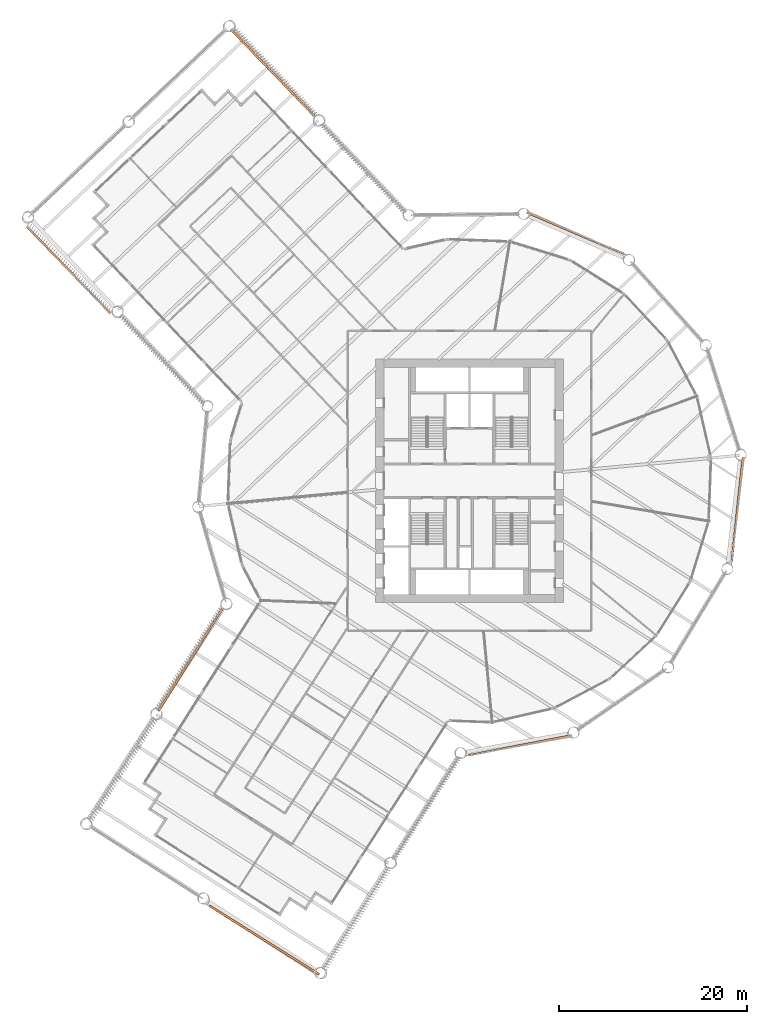
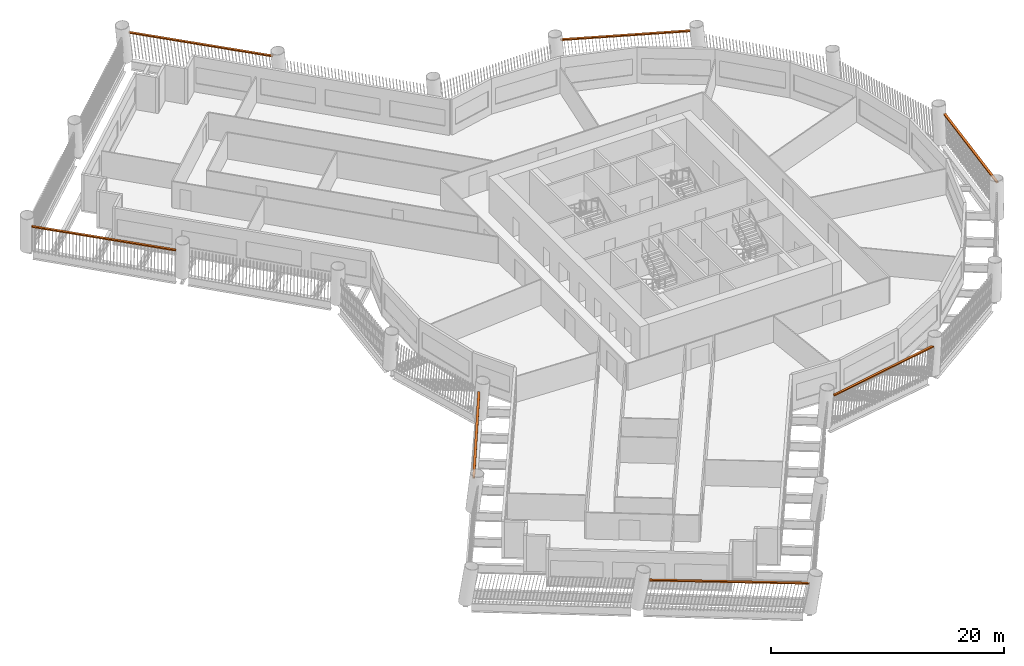
# One storey, part 15 of 15: 7 proxies.
"""IFC4 building model written with IfcOpenShell, lengths in metres."""

import ifcopenshell
import ifcopenshell.guid

model = None  # the IFC model being written
_history = None  # IfcOwnerHistory: only IFC2X3 demands one
_inside = {}  # id of a spatial element -> (the spatial element, [elements in it])
_under = {}  # id of a project, library or spatial element -> (it, [spatial elements below it])
_declared = {}  # id of a project -> (the project, [libraries it declares])
_typed = {}  # id of a type object -> (the type object, [elements of that type])
_made_of = {}  # id of a material, layer set ... -> (it, [elements and type objects made of it])


def new_model(schema):
    """Start an empty IFC model of exactly this schema.

    Asked for "IFC4X3", IfcOpenShell would pick the latest addendum, in which some entities
    have other attributes; the version numbers below select the first issue.
    IFC2X3 requires an IfcOwnerHistory on every rooted entity: one is made here for all.
    """
    global model, _history
    if schema == "IFC4X3":
        model = ifcopenshell.file(schema_version=(4, 3, 0, 0))
    else:
        model = ifcopenshell.file(schema=schema)
    _inside.clear()
    _under.clear()
    _declared.clear()
    _typed.clear()
    _made_of.clear()
    _history = None
    if model.schema == "IFC2X3":
        org = make("IfcOrganization", Name="unknown")
        user = make(
            "IfcPersonAndOrganization",
            ThePerson=make("IfcPerson", FamilyName="unknown"),
            TheOrganization=org,
        )
        app = make(
            "IfcApplication",
            ApplicationDeveloper=org,
            Version="unknown",
            ApplicationFullName="unknown",
            ApplicationIdentifier="unknown",
        )
        _history = make(
            "IfcOwnerHistory",
            OwningUser=user,
            OwningApplication=app,
            ChangeAction="ADDED",
            CreationDate=0,
        )
    return model


def make(cls, **values):
    """One entity of the class cls with the attributes given. An attribute that is None is left unset."""
    return model.create_entity(
        cls, **{name: value for name, value in values.items() if value is not None}
    )


def rooted(cls, **values):
    """An entity with a GlobalId (a new one), such as an element, a storey or a relation."""
    return make(cls, GlobalId=ifcopenshell.guid.new(), OwnerHistory=_history, **values)


def si_unit(unit_type, name, prefix=None):
    """IfcSIUnit, for example si_unit("LENGTHUNIT", "METRE", prefix="MILLI")."""
    return make("IfcSIUnit", UnitType=unit_type, Prefix=prefix, Name=name)


def assignment(units):
    """IfcUnitAssignment: the units of a project."""
    return None if units is None else make("IfcUnitAssignment", Units=units)


def point(xyz):
    """IfcCartesianPoint."""
    return None if xyz is None else make("IfcCartesianPoint", Coordinates=xyz)


def direction(xyz):
    """IfcDirection."""
    return None if xyz is None else make("IfcDirection", DirectionRatios=xyz)


def frame(location, z_axis=None, x_axis=None):
    """IfcAxis2Placement3D, a coordinate frame: its origin and axes. An axis left out is left unset."""
    return make(
        "IfcAxis2Placement3D",
        Location=point(location),
        Axis=direction(z_axis),
        RefDirection=direction(x_axis),
    )


def frame_2d(location, x_axis=None):
    """IfcAxis2Placement2D, a coordinate frame in the plane: its origin and x axis."""
    return make(
        "IfcAxis2Placement2D", Location=point(location), RefDirection=direction(x_axis)
    )


def origin():
    """The frame at (0, 0, 0) with its axes left unset."""
    return frame((0.0, 0.0, 0.0))


def origin_2d():
    """The frame at (0, 0) in the plane with its x axis left unset."""
    return frame_2d((0.0, 0.0))


def place(relative_to, where):
    """IfcLocalPlacement: puts the frame where relative to a parent placement (None: the world)."""
    return make(
        "IfcLocalPlacement", PlacementRelTo=relative_to, RelativePlacement=where
    )


def context(
    kind, dimensions, precision=None, world=None, true_north=None, identifier=None
):
    """IfcGeometricRepresentationContext, for example the 3D "Model" context."""
    return make(
        "IfcGeometricRepresentationContext",
        ContextIdentifier=identifier,
        ContextType=kind,
        CoordinateSpaceDimension=dimensions,
        Precision=precision,
        WorldCoordinateSystem=world,
        TrueNorth=true_north,
    )


def subcontext(parent, identifier, kind, view, scale=None):
    """IfcGeometricRepresentationSubContext, for example "Body" below "Model"."""
    return make(
        "IfcGeometricRepresentationSubContext",
        ContextIdentifier=identifier,
        ContextType=kind,
        ParentContext=parent,
        TargetScale=scale,
        TargetView=view,
    )


def project(units=None, contexts=None):
    """IfcProject with its units and contexts."""
    return rooted(
        "IfcProject",
        Name="project",
        RepresentationContexts=contexts,
        UnitsInContext=assignment(units),
    )


def spatial(cls, under=None, at=None, **own):
    """A site, building, storey or space (cls), placed at a placement, below another one or the project."""
    s = rooted(cls, ObjectPlacement=at, **own)
    if under is not None:
        _under.setdefault(under.id(), (under, []))[1].append(s)
    return s


def profile(cls, at=None, kind="AREA", **sizes):
    """A parametric profile (cls). Its sizes go by their IFC names, for example OverallWidth=200.0."""
    return make(cls, ProfileType=kind, Position=at, **sizes)


def rectangle(**sizes):
    """IfcRectangleProfileDef."""
    return profile("IfcRectangleProfileDef", **sizes)


def extrude(swept, where, along, depth):
    """IfcExtrudedAreaSolid: the profile swept, set in the frame where, extruded along a direction by depth."""
    return make(
        "IfcExtrudedAreaSolid",
        SweptArea=swept,
        Position=where,
        ExtrudedDirection=direction(along),
        Depth=depth,
    )


def shape(context_of_items, identifier, shape_type, items):
    """IfcShapeRepresentation: the items that make up one representation, for example the "Body"."""
    return make(
        "IfcShapeRepresentation",
        ContextOfItems=context_of_items,
        RepresentationIdentifier=identifier,
        RepresentationType=shape_type,
        Items=items,
    )


def material(Name=None, Category=None):
    """IfcMaterial."""
    return make("IfcMaterial", Name=Name, Category=Category)


def made_of(thing, what):
    """Note that an element or type object is made of a material, layer set ...; save() writes the relation."""
    if what is not None:
        _made_of.setdefault(what.id(), (what, []))[1].append(thing)
    return thing


def type_object(cls, material=None, **own):
    """A type object (cls), such as IfcWallType, which elements share."""
    return made_of(rooted(cls, **own), material)


def element(
    cls,
    number,
    at=None,
    inside=None,
    cuts=None,
    type_object=None,
    material=None,
    context=None,
    identifier="Body",
    shape_type=None,
    held_by="IfcProductDefinitionShape",
    body=None,
    shapes=None,
    **own,
):
    """One element of the class cls, such as IfcWall. Its Tag is "e" and its number.

    at: its placement. inside: the storey or other place that contains it. cuts: it is an
    opening in that element (IfcRelVoidsElement). A single representation is given by context,
    identifier, shape_type and body (its items); several are given by shapes. held_by: the class
    of the entity that holds the representations. save() writes the other relations.
    """
    e = rooted(cls, Tag="e%d" % number, ObjectPlacement=at, **own)
    if body is not None:
        shapes = [shape(context, identifier, shape_type, body)]
    if shapes is not None:
        e.Representation = make(held_by, Representations=shapes)
    if inside is not None:
        _inside.setdefault(inside.id(), (inside, []))[1].append(e)
    if cuts is not None:
        rooted(
            "IfcRelVoidsElement", RelatingBuildingElement=cuts, RelatedOpeningElement=e
        )
    if type_object is not None:
        _typed.setdefault(type_object.id(), (type_object, []))[1].append(e)
    return made_of(e, material)


def aggregate(whole, parts):
    """IfcRelAggregates: a whole, such as a stair, and the parts it consists of."""
    return rooted("IfcRelAggregates", RelatingObject=whole, RelatedObjects=parts)


def save(model, path):
    """Write the relations noted so far, then the file.

    IfcRelAggregates (storeys below a building ...), IfcRelContainedInSpatialStructure (elements
    in a storey), IfcRelDefinesByType, IfcRelAssociatesMaterial and IfcRelDeclares: one each for
    every whole, place, type object, material and project.
    """
    for whole, parts in _under.values():
        aggregate(whole, parts)
    for where, things in _inside.values():
        rooted(
            "IfcRelContainedInSpatialStructure",
            RelatedElements=things,
            RelatingStructure=where,
        )
    for kind, things in _typed.values():
        rooted("IfcRelDefinesByType", RelatedObjects=things, RelatingType=kind)
    for what, things in _made_of.values():
        rooted("IfcRelAssociatesMaterial", RelatedObjects=things, RelatingMaterial=what)
    for by, libraries in _declared.values():
        rooted("IfcRelDeclares", RelatingContext=by, RelatedDefinitions=libraries)
    model.write(path)


model = new_model("IFC4")

# Units and contexts
model_context = context("Model", 3, precision=1e-05, world=origin(), true_north=direction((0.0, 1.0)))
body_context = subcontext(model_context, "Body", "Model", "MODEL_VIEW")
ifc_project = project(units=[si_unit("LENGTHUNIT", "METRE"), si_unit("AREAUNIT", "SQUARE_METRE"), si_unit("VOLUMEUNIT", "CUBIC_METRE"), si_unit("PLANEANGLEUNIT", "RADIAN"), si_unit("MASSUNIT", "GRAM", prefix="KILO")], contexts=[model_context])

# Site, building, storey
site_placement = place(None, origin())
site = spatial("IfcSite", under=ifc_project, at=site_placement, CompositionType="ELEMENT")
building_placement = place(site_placement, origin())
building = spatial("IfcBuilding", under=site, at=building_placement, Name="Tarsis Ring Headquarters", CompositionType="ELEMENT")
storey_placement = place(building_placement, frame((0.0, 0.0, 67.300048828125)))
storey = spatial("IfcBuildingStorey", under=building, at=storey_placement, Name="L14", CompositionType="ELEMENT", Elevation=67.300048828125)

# Proxies
ifc_material = material(Name="Structural steel S355", Category="steel")
building_element_proxy_type = type_object("IfcBuildingElementProxyType", Name="Screen bracket plate", PredefinedType="USERDEFINED", material=ifc_material)
proxy_1_placement = place(storey_placement, frame((-29.754638671875, -19.078125, 2.952392578125), z_axis=(0.0, 0.0, 1.0), x_axis=(-0.529919293836, -0.848048077659, 0.0)))
element("IfcBuildingElementProxy", 1, at=proxy_1_placement, inside=storey, type_object=building_element_proxy_type, Name="Screen bracket L14-01", ObjectType="Bracket", PredefinedType="USERDEFINED", context=body_context, shape_type="SweptSolid", body=[
    extrude(rectangle(XDim=12.90234375, YDim=0.222900390625, at=origin_2d()), origin(), (0.0, 0.0, 1.0), 0.1201171875),
])
proxy_2_placement = place(storey_placement, frame((-21.875732421875, -48.97265625, 2.952392578125), z_axis=(0.0, 0.0, 1.0), x_axis=(0.848048086908, -0.529919279034, 0.0)))
element("IfcBuildingElementProxy", 2, at=proxy_2_placement, inside=storey, type_object=building_element_proxy_type, Name="Screen bracket L14-04", ObjectType="Bracket", PredefinedType="USERDEFINED", context=body_context, shape_type="SweptSolid", body=[
    extrude(rectangle(XDim=13.800048828125, YDim=0.222900390625, at=origin_2d()), origin(), (0.0, 0.0, 1.0), 0.1201171875),
])
for number, where, z_axis, x_axis, name in (
    (3, (5.382080078125, -28.210205078125, 2.952392578125), (0.0, 0.0, 1.0), (0.982283067616, 0.187403241903, 0.0), "Screen bracket L14-07"),
    (4, (28.552734375, -3.08740234375, 2.952392578125), (0.0, 0.0, 1.0), (0.107500425504, 0.994205038469, 0.0), "Screen bracket L14-10"),
    (5, (11.287841796875, 26.40771484375, 2.952392578125), (0.0, 0.0, 1.0), (-0.919521496898, 0.393039713951, 0.0), "Screen bracket L14-13"),
):
    element("IfcBuildingElementProxy", number, at=place(storey_placement, frame(where, z_axis=z_axis, x_axis=x_axis)), inside=storey, type_object=building_element_proxy_type, Name=name, ObjectType="Bracket", PredefinedType="USERDEFINED", context=body_context, shape_type="SweptSolid", body=[
        extrude(rectangle(XDim=11.248779296875, YDim=0.222900390625, at=origin_2d()), origin(), (0.0, 0.0, 1.0), 0.1201171875),
    ])
for number, where, z_axis, x_axis, name in (
    (6, (-20.970458984375, 43.486572265625, 2.952392578125), (0.0, 0.0, 1.0), (-0.694658370459, 0.719339800339, 0.0), "Screen bracket L14-16"),
    (7, (-42.728271484375, 22.475341796875, 2.952392578125), (0.0, 0.0, 1.0), (0.694658370459, -0.719339800339, 0.0), "Screen bracket L14-19"),
):
    element("IfcBuildingElementProxy", number, at=place(storey_placement, frame(where, z_axis=z_axis, x_axis=x_axis)), inside=storey, type_object=building_element_proxy_type, Name=name, ObjectType="Bracket", PredefinedType="USERDEFINED", context=body_context, shape_type="SweptSolid", body=[
        extrude(rectangle(XDim=12.90234375, YDim=0.222900390625, at=origin_2d()), origin(), (0.0, 0.0, 1.0), 0.1201171875),
    ])

save(model, "model.ifc")
